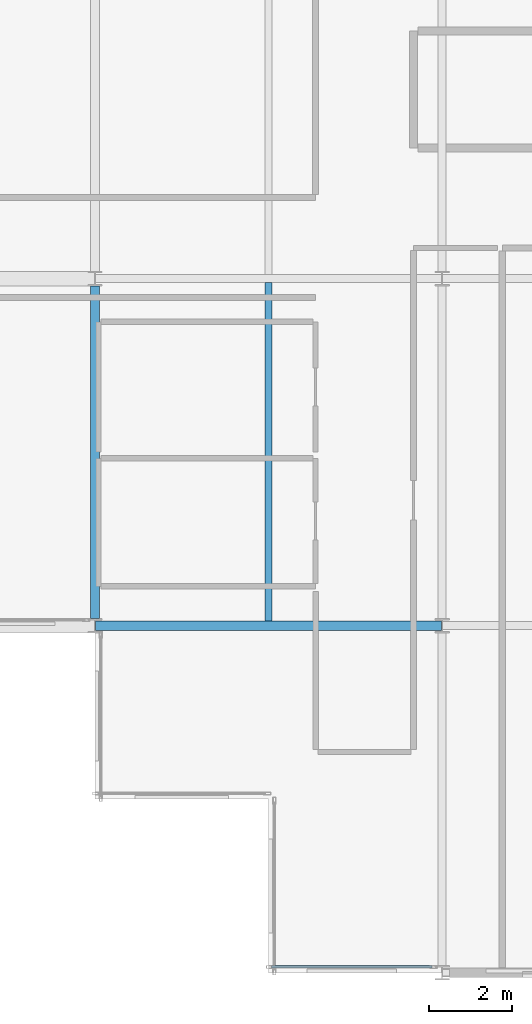
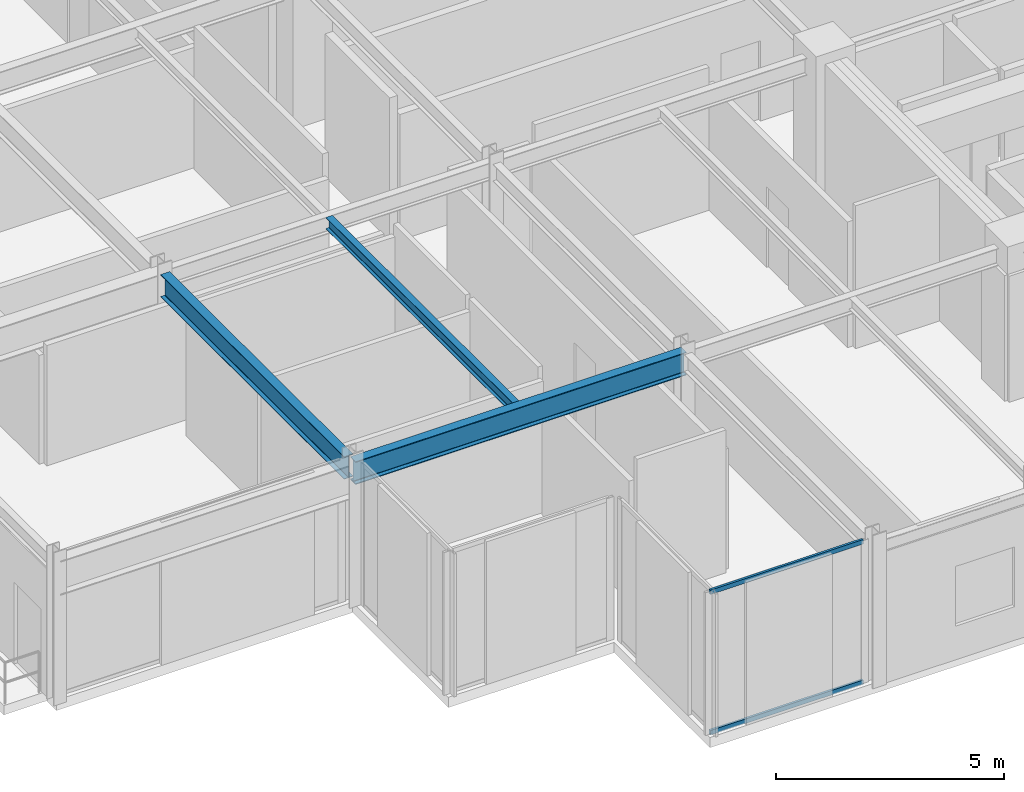
# One storey, part 5 of 29: 3 beams, 2 members, 1 element without a shape of its own.
"""IFC4 building model written with IfcOpenShell, lengths in metres."""

from ifc_helpers import new_model, si_unit, direction, frame, origin, origin_2d, place, context, subcontext, project, spatial, hollow_rectangle, i_section, extrude, material, layer, layer_set, material_profile, profile_set, type_object, element, aggregate, save


model = new_model("IFC4")

# Units and contexts
model_context = context("Model", 3, precision=1e-05, world=origin(), true_north=direction((0.0, 1.0)))
body_context = subcontext(model_context, "Body", "Model", "MODEL_VIEW")
ifc_project = project(units=[si_unit("LENGTHUNIT", "METRE"), si_unit("AREAUNIT", "SQUARE_METRE"), si_unit("VOLUMEUNIT", "CUBIC_METRE"), si_unit("PLANEANGLEUNIT", "RADIAN"), si_unit("MASSUNIT", "GRAM", prefix="KILO")], contexts=[model_context])

# Site, building, storey
site_placement = place(None, origin())
site = spatial("IfcSite", under=ifc_project, at=site_placement, CompositionType="ELEMENT")
building_placement = place(site_placement, origin())
building = spatial("IfcBuilding", under=site, at=building_placement, Name="Nerrivon Quay Data Exchange", CompositionType="ELEMENT")
storey_placement = place(building_placement, frame((0.0, 0.0, 183.699951171875)))
storey = spatial("IfcBuildingStorey", under=building, at=storey_placement, Name="L43", CompositionType="ELEMENT", Elevation=183.699951171875)

# Beams
ifc_material_1 = material(Name="Steel Grade 350", Category="steel")
ifc_material_profile_1 = material_profile(ifc_material_1, i_section(OverallWidth=0.22900390625, OverallDepth=0.612060546875, WebThickness=0.011962890625, FlangeThickness=0.01953125, FilletRadius=0.013916015625, at=origin_2d()), Name="610UB125")
ifc_profile_set_1 = profile_set([ifc_material_profile_1], Name="Steel Grade 350")
beam_type_1 = type_object("IfcBeamType", Name="BM-G1-610UB125", PredefinedType="BEAM", material=ifc_profile_set_1)
beam_1_placement = place(storey_placement, frame((0.010009765625, 8.39990234375, 3.51904296875), z_axis=(1.0, 0.0, 0.0), x_axis=(0.0, 1.0, 0.0)))
element("IfcBeam", 1, at=beam_1_placement, inside=storey, type_object=beam_type_1, Name="L43 EW Girder Y=8.4 (0.0..8.4)", PredefinedType="BEAM", context=body_context, shape_type="SweptSolid", body=[
    extrude(i_section(OverallWidth=0.22900390625, OverallDepth=0.612060546875, WebThickness=0.011962890625, FlangeThickness=0.01953125, FilletRadius=0.013916015625, at=origin_2d()), origin(), (0.0, 0.0, 1.0), 8.3798828125),
])
ifc_material_profile_2 = material_profile(ifc_material_1, i_section(OverallWidth=0.22802734375, OverallDepth=0.60205078125, WebThickness=0.010498046875, FlangeThickness=0.014892578125, FilletRadius=0.013916015625, at=origin_2d()), Name="610UB101")
ifc_profile_set_2 = profile_set([ifc_material_profile_2], Name="Steel Grade 350")
beam_type_2 = type_object("IfcBeamType", Name="BM-G2-610UB101", PredefinedType="BEAM", material=ifc_profile_set_2)
beam_2_placement = place(storey_placement, frame((0.0, 8.574951171875, 3.524169921875), z_axis=(0.0, 1.0, 0.0), x_axis=(-1.0, 0.0, 0.0)))
element("IfcBeam", 2, at=beam_2_placement, inside=storey, type_object=beam_type_2, Name="L43 NS Girder X=0.0 (8.4..16.8)", PredefinedType="BEAM", context=body_context, shape_type="SweptSolid", body=[
    extrude(i_section(OverallWidth=0.22802734375, OverallDepth=0.60205078125, WebThickness=0.010498046875, FlangeThickness=0.014892578125, FilletRadius=0.013916015625, at=origin_2d()), origin(), (0.0, 0.0, 1.0), 8.050048828125),
])
ifc_material_profile_3 = material_profile(ifc_material_1, i_section(OverallWidth=0.166015625, OverallDepth=0.306884765625, WebThickness=0.006591796875, FlangeThickness=0.01171875, FilletRadius=0.011474609375, at=origin_2d()), Name="310UB46.2")
ifc_profile_set_3 = profile_set([ifc_material_profile_3], Name="Steel Grade 350")
beam_type_3 = type_object("IfcBeamType", Name="BM-J5-310UB46", PredefinedType="JOIST", material=ifc_profile_set_3)
beam_3_placement = place(storey_placement, frame((4.199951171875, 8.514404296875, 3.671630859375), z_axis=(0.0, 1.0, 0.0), x_axis=(-1.0, 0.0, 0.0)))
element("IfcBeam", 3, at=beam_3_placement, inside=storey, type_object=beam_type_3, Name="L43 Secondary Joist X=4.2 (8.4..16.8)", PredefinedType="JOIST", context=body_context, shape_type="SweptSolid", body=[
    extrude(i_section(OverallWidth=0.166015625, OverallDepth=0.306884765625, WebThickness=0.006591796875, FlangeThickness=0.01171875, FilletRadius=0.011474609375, at=origin_2d()), origin(), (0.0, 0.0, 1.0), 8.190185546875),
])

# Curtain wall, members
ifc_material_2 = material(Name="Anodised aluminium 6063-T6", Category="aluminium")
ifc_layer = layer(ifc_material_2, 0.195068359375)
ifc_layer_set = layer_set([ifc_layer], Name="Anodised aluminium 6063-T6")
curtain_wall_type = type_object("IfcCurtainWallType", Name="CW-SYS-06", PredefinedType="NOTDEFINED", material=ifc_layer_set)
curtain_wall_placement = place(storey_placement, origin())
curtain_wall = element("IfcCurtainWall", 4, at=curtain_wall_placement, inside=storey, type_object=curtain_wall_type, Name="L43 Unitised Curtain Wall 28", PredefinedType="NOTDEFINED")
ifc_material_profile_4 = material_profile(ifc_material_2, hollow_rectangle(XDim=0.06005859375, YDim=0.1201171875, WallThickness=0.003173828125, at=origin_2d()), Name="ALU-TRAN-120x60")
ifc_profile_set_4 = profile_set([ifc_material_profile_4], Name="Anodised aluminium 6063-T6")
member_type = type_object("IfcMemberType", Name="CWT-120x60", PredefinedType="USERDEFINED", material=ifc_profile_set_4)
member_1_placement = place(storey_placement, frame((8.14990234375, 0.139892578125, 0.032470703125), z_axis=(-1.0, 0.0, 0.0), x_axis=(0.0, -1.0, 0.0)))
member_1 = element("IfcMember", 5, at=member_1_placement, type_object=member_type, Name="CW06 transom 1.1", ObjectType="TRANSOM", PredefinedType="USERDEFINED", context=body_context, shape_type="SweptSolid", body=[
    extrude(hollow_rectangle(XDim=0.06005859375, YDim=0.1201171875, WallThickness=0.003173828125, at=origin_2d()), origin(), (0.0, 0.0, 1.0), 3.875),
])
member_2_placement = place(storey_placement, frame((8.14990234375, 0.139892578125, 3.79248046875), z_axis=(-1.0, 0.0, 0.0), x_axis=(0.0, -1.0, 0.0)))
member_2 = element("IfcMember", 6, at=member_2_placement, type_object=member_type, Name="CW06 transom 1.2", ObjectType="TRANSOM", PredefinedType="USERDEFINED", context=body_context, shape_type="SweptSolid", body=[
    extrude(hollow_rectangle(XDim=0.06005859375, YDim=0.1201171875, WallThickness=0.003173828125, at=origin_2d()), origin(), (0.0, 0.0, 1.0), 3.875),
])
aggregate(curtain_wall, [member_1, member_2])

save(model, "model.ifc")
